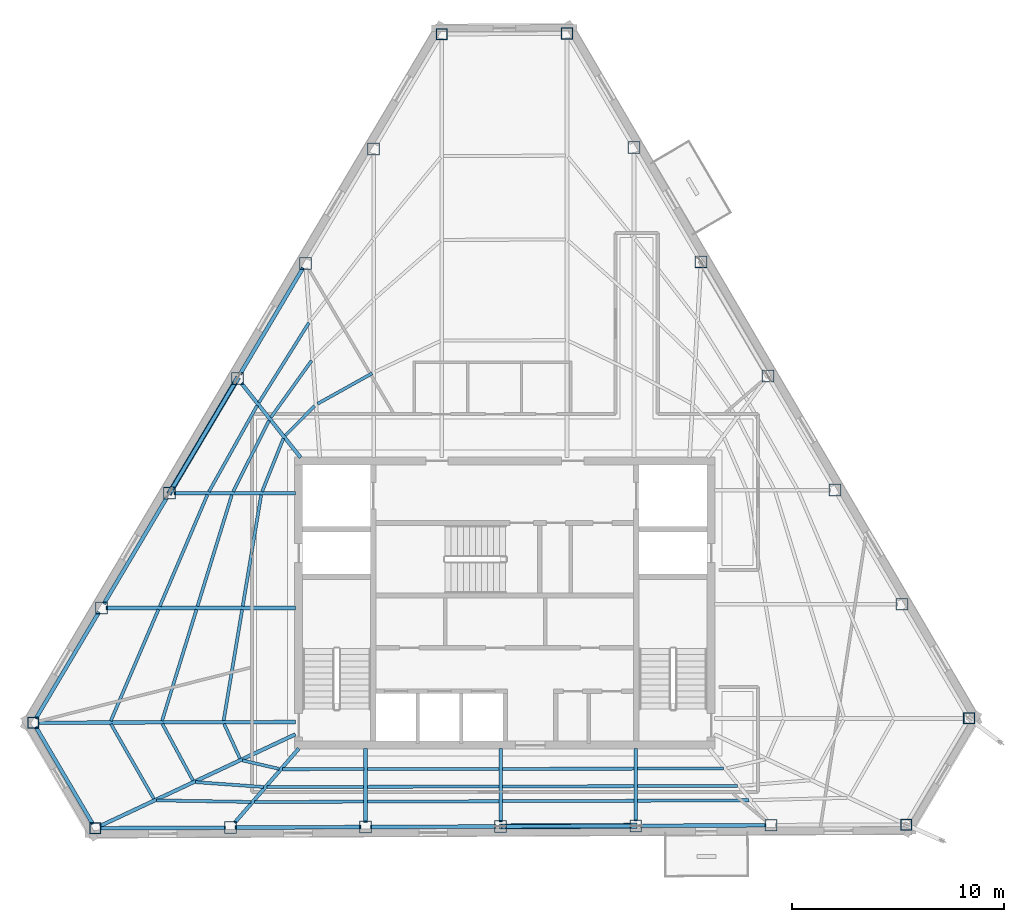
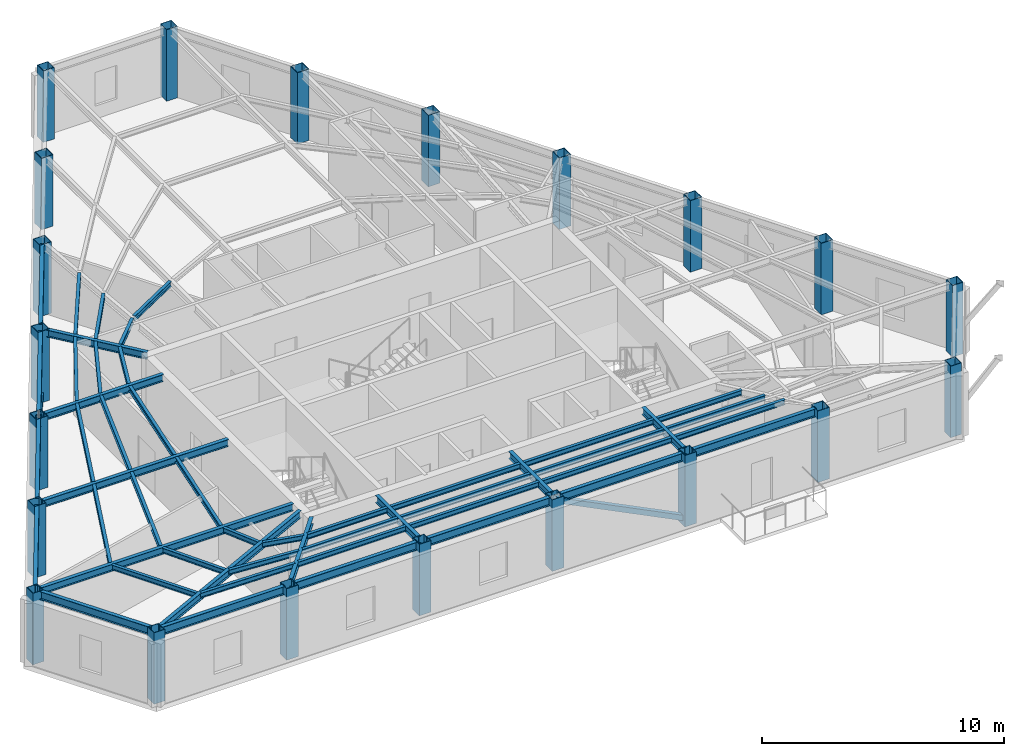
# One storey, part 1 of 9: 50 beams, 21 columns, 2 members.
"""IFC4 building model written with IfcOpenShell, lengths in metres."""

from ifc_helpers import new_model, si_unit, direction, frame, origin, origin_2d, place, context, subcontext, project, spatial, hollow_rectangle, i_section, extrude, material, material_profile, profile_set, type_object, element, save


model = new_model("IFC4")

# Units and contexts
model_context = context("Model", 3, precision=1e-05, world=origin(), true_north=direction((0.0, 1.0)))
body_context = subcontext(model_context, "Body", "Model", "MODEL_VIEW")
ifc_project = project(units=[si_unit("LENGTHUNIT", "METRE"), si_unit("AREAUNIT", "SQUARE_METRE"), si_unit("VOLUMEUNIT", "CUBIC_METRE"), si_unit("PLANEANGLEUNIT", "RADIAN"), si_unit("MASSUNIT", "GRAM", prefix="KILO")], contexts=[model_context])

# Site, building, storey
site_placement = place(None, origin())
site = spatial("IfcSite", under=ifc_project, at=site_placement, CompositionType="ELEMENT")
building_placement = place(site_placement, origin())
building = spatial("IfcBuilding", under=site, at=building_placement, Name="Kavelnor Concourse Tower", CompositionType="ELEMENT")
storey_placement = place(building_placement, frame((0.0, 0.0, 278.0)))
storey = spatial("IfcBuildingStorey", under=building, at=storey_placement, Name="L70", CompositionType="ELEMENT", Elevation=278.0)

# Columns
ifc_material = material(Name="Steel Grade 350", Category="steel")
ifc_material_profile_1 = material_profile(ifc_material, hollow_rectangle(XDim=0.52001953125, YDim=0.52001953125, WallThickness=0.02392578125, at=origin_2d()), Name="SHS 520x520x24")
ifc_profile_set_1 = profile_set([ifc_material_profile_1], Name="Steel Grade 350")
column_type_1 = type_object("IfcColumnType", Name="COL-FOLD-Z4", PredefinedType="COLUMN", material=ifc_profile_set_1)
for number, where, z_axis, x_axis, name in (
    (1, (35.025390625, 42.8876953125, 0.0), (0.0, 0.0, 1.0), (1.0, 0.0, 0.0), "L70 Perimeter Corner-Fold Column F0-B0"),
    (2, (15.80029296875, 10.463623046875, 0.0), (0.0, 0.0, 1.0), (1.0, 0.0, 0.0), "L70 Perimeter Corner-Fold Column F0-B6"),
    (3, (18.71630859375, 5.4951171875, 0.0), (0.0, 0.0, 1.0), (1.0, 0.0, 0.0), "L70 Perimeter Corner-Fold Column F1-B0"),
    (4, (56.887939453125, 5.6640625, 0.0), (0.0, 0.0, 1.0), (1.0, 0.0, 0.0), "L70 Perimeter Corner-Fold Column F1-B6"),
    (5, (59.853759765625, 10.665771484375, 0.0), (0.0, 0.0, 1.0), (1.0, 0.0, 0.0), "L70 Perimeter Corner-Fold Column F2-B0"),
    (6, (40.92529296875, 42.913818359375, 0.0), (0.0, 0.0, 1.0), (1.0, 0.0, 0.0), "L70 Perimeter Corner-Fold Column F2-B6"),
):
    element("IfcColumn", number, at=place(storey_placement, frame(where, z_axis=z_axis, x_axis=x_axis)), inside=storey, type_object=column_type_1, Name=name, PredefinedType="COLUMN", context=body_context, shape_type="SweptSolid", body=[
        extrude(hollow_rectangle(XDim=0.52001953125, YDim=0.52001953125, WallThickness=0.02392578125, at=origin_2d()), origin(), (0.0, 0.0, 1.0), 3.610107421875),
    ])
ifc_material_profile_2 = material_profile(ifc_material, hollow_rectangle(XDim=0.56005859375, YDim=0.56005859375, WallThickness=0.02490234375, at=origin_2d()), Name="SHS 560x560x25")
ifc_profile_set_2 = profile_set([ifc_material_profile_2], Name="Steel Grade 350")
column_type_2 = type_object("IfcColumnType", Name="COL-TUBE-Z4", PredefinedType="COLUMN", material=ifc_profile_set_2)
for number, where, z_axis, x_axis, name in (
    (7, (31.821044921875, 37.483642578125, 0.0), (0.0, 0.0, 1.0), (1.0, 0.0, 0.0), "L70 Perimeter Framed-Tube Column F0-B1"),
    (8, (28.616943359375, 32.07958984375, 0.0), (0.0, 0.0, 1.0), (1.0, 0.0, 0.0), "L70 Perimeter Framed-Tube Column F0-B2"),
    (9, (25.412841796875, 26.675537109375, 0.0), (0.0, 0.0, 1.0), (1.0, 0.0, 0.0), "L70 Perimeter Framed-Tube Column F0-B3"),
    (10, (22.20849609375, 21.271484375, 0.0), (0.0, 0.0, 1.0), (1.0, 0.0, 0.0), "L70 Perimeter Framed-Tube Column F0-B4"),
    (11, (19.00439453125, 15.86767578125, 0.0), (0.0, 0.0, 1.0), (1.0, 0.0, 0.0), "L70 Perimeter Framed-Tube Column F0-B5"),
    (12, (25.078369140625, 5.523193359375, 0.0), (0.0, 0.0, 1.0), (1.0, 0.0, 0.0), "L70 Perimeter Framed-Tube Column F1-B1"),
    (13, (31.440185546875, 5.551513671875, 0.0), (0.0, 0.0, 1.0), (1.0, 0.0, 0.0), "L70 Perimeter Framed-Tube Column F1-B2"),
    (14, (37.80224609375, 5.57958984375, 0.0), (0.0, 0.0, 1.0), (1.0, 0.0, 0.0), "L70 Perimeter Framed-Tube Column F1-B3"),
    (15, (44.1640625, 5.60791015625, 0.0), (0.0, 0.0, 1.0), (1.0, 0.0, 0.0), "L70 Perimeter Framed-Tube Column F1-B4"),
    (16, (50.526123046875, 5.635986328125, 0.0), (0.0, 0.0, 1.0), (1.0, 0.0, 0.0), "L70 Perimeter Framed-Tube Column F1-B5"),
    (17, (56.698974609375, 16.040283203125, 0.0), (0.0, 0.0, 1.0), (1.0, 0.0, 0.0), "L70 Perimeter Framed-Tube Column F2-B1"),
    (18, (53.544189453125, 21.4150390625, 0.0), (0.0, 0.0, 1.0), (1.0, 0.0, 0.0), "L70 Perimeter Framed-Tube Column F2-B2"),
    (19, (50.389404296875, 26.789794921875, 0.0), (0.0, 0.0, 1.0), (1.0, 0.0, 0.0), "L70 Perimeter Framed-Tube Column F2-B3"),
    (20, (47.23486328125, 32.164306640625, 0.0), (0.0, 0.0, 1.0), (1.0, 0.0, 0.0), "L70 Perimeter Framed-Tube Column F2-B4"),
    (21, (44.080078125, 37.5390625, 0.0), (0.0, 0.0, 1.0), (1.0, 0.0, 0.0), "L70 Perimeter Framed-Tube Column F2-B5"),
):
    element("IfcColumn", number, at=place(storey_placement, frame(where, z_axis=z_axis, x_axis=x_axis)), inside=storey, type_object=column_type_2, Name=name, PredefinedType="COLUMN", context=body_context, shape_type="SweptSolid", body=[
        extrude(hollow_rectangle(XDim=0.56005859375, YDim=0.56005859375, WallThickness=0.02490234375, at=origin_2d()), origin(), (0.0, 0.0, 1.0), 3.610107421875),
    ])

# Beams
ifc_material_profile_3 = material_profile(ifc_material, i_section(OverallWidth=0.14599609375, OverallDepth=0.256103515625, WebThickness=0.00634765625, FlangeThickness=0.010986328125, at=origin_2d()), Name="250UB37")
ifc_profile_set_3 = profile_set([ifc_material_profile_3], Name="Steel Grade 350")
beam_type_1 = type_object("IfcBeamType", Name="BM-JOIST-250", PredefinedType="JOIST", material=ifc_profile_set_3)
beam_1_placement = place(storey_placement, frame((25.630126953125, 15.78662109375, 3.48193359375), z_axis=(-0.164481309711, -0.986380199901, 0.0), x_axis=(0.986380199901, -0.164481309711, 0.0)))
element("IfcBeam", 22, at=beam_1_placement, inside=storey, type_object=beam_type_1, Name="L70 Secondary Composite Joist 01-1", PredefinedType="JOIST", context=body_context, shape_type="SweptSolid", body=[
    extrude(i_section(OverallWidth=0.14599609375, OverallDepth=0.256103515625, WebThickness=0.00634765625, FlangeThickness=0.010986328125, at=origin_2d()), origin(), (0.0, 0.0, 1.0), 5.2900390625),
])
beam_2_placement = place(storey_placement, frame((23.479736328125, 15.789306640625, 3.48193359375), z_axis=(-0.295473498635, -0.95535093636, 0.0), x_axis=(0.95535093636, -0.295473498635, 0.0)))
element("IfcBeam", 23, at=beam_2_placement, inside=storey, type_object=beam_type_1, Name="L70 Secondary Composite Joist 01-2", PredefinedType="JOIST", context=body_context, shape_type="SweptSolid", body=[
    extrude(i_section(OverallWidth=0.14599609375, OverallDepth=0.256103515625, WebThickness=0.00634765625, FlangeThickness=0.010986328125, at=origin_2d()), origin(), (0.0, 0.0, 1.0), 5.4755859375),
])
beam_3_placement = place(storey_placement, frame((21.6884765625, 15.792236328125, 3.48193359375), z_axis=(-0.393201019812, -0.919452531683, 0.0), x_axis=(0.919452531683, -0.393201019812, 0.0)))
element("IfcBeam", 24, at=beam_3_placement, inside=storey, type_object=beam_type_1, Name="L70 Secondary Composite Joist 01-3", PredefinedType="JOIST", context=body_context, shape_type="SweptSolid", body=[
    extrude(i_section(OverallWidth=0.14599609375, OverallDepth=0.256103515625, WebThickness=0.00634765625, FlangeThickness=0.010986328125, at=origin_2d()), origin(), (0.0, 0.0, 1.0), 5.703125),
])
beam_4_placement = place(storey_placement, frame((24.780517578125, 10.4130859375, 3.48193359375), z_axis=(0.416242219057, -0.909253768249, 0.0), x_axis=(0.909253768249, 0.416242219057, 0.0)))
element("IfcBeam", 25, at=beam_4_placement, inside=storey, type_object=beam_type_1, Name="L70 Secondary Composite Joist 02-1", PredefinedType="JOIST", context=body_context, shape_type="SweptSolid", body=[
    extrude(i_section(OverallWidth=0.14599609375, OverallDepth=0.256103515625, WebThickness=0.00634765625, FlangeThickness=0.010986328125, at=origin_2d()), origin(), (0.0, 0.0, 1.0), 1.793701171875),
])
beam_5_placement = place(storey_placement, frame((21.876708984375, 10.40771484375, 3.48193359375), z_axis=(0.475152660954, -0.879903374689, 0.0), x_axis=(0.879903374689, 0.475152660954, 0.0)))
element("IfcBeam", 26, at=beam_5_placement, inside=storey, type_object=beam_type_1, Name="L70 Secondary Composite Joist 02-2", PredefinedType="JOIST", context=body_context, shape_type="SweptSolid", body=[
    extrude(i_section(OverallWidth=0.14599609375, OverallDepth=0.256103515625, WebThickness=0.00634765625, FlangeThickness=0.010986328125, at=origin_2d()), origin(), (0.0, 0.0, 1.0), 3.02734375),
])
beam_6_placement = place(storey_placement, frame((19.45458984375, 10.402099609375, 3.48193359375), z_axis=(0.497452897182, -0.867490988475, 0.0), x_axis=(0.867490988475, 0.497452897182, 0.0)))
element("IfcBeam", 27, at=beam_6_placement, inside=storey, type_object=beam_type_1, Name="L70 Secondary Composite Joist 02-3", PredefinedType="JOIST", context=body_context, shape_type="SweptSolid", body=[
    extrude(i_section(OverallWidth=0.14599609375, OverallDepth=0.256103515625, WebThickness=0.00634765625, FlangeThickness=0.010986328125, at=origin_2d()), origin(), (0.0, 0.0, 1.0), 4.060302734375),
])
beam_7_placement = place(storey_placement, frame((25.64111328125, 8.689208984375, 3.48193359375), z_axis=(0.974407393585, -0.224789304298, 0.0), x_axis=(0.224789304298, 0.974407393585, 0.0)))
element("IfcBeam", 28, at=beam_7_placement, inside=storey, type_object=beam_type_1, Name="L70 Secondary Composite Joist 03-1", PredefinedType="JOIST", context=body_context, shape_type="SweptSolid", body=[
    extrude(i_section(OverallWidth=0.14599609375, OverallDepth=0.256103515625, WebThickness=0.00634765625, FlangeThickness=0.010986328125, at=origin_2d()), origin(), (0.0, 0.0, 1.0), 1.77783203125),
])
beam_8_placement = place(storey_placement, frame((23.43603515625, 7.666015625, 3.48193359375), z_axis=(0.997475616133, -0.071009824817, 0.0), x_axis=(0.071009824817, 0.997475616133, 0.0)))
element("IfcBeam", 29, at=beam_8_placement, inside=storey, type_object=beam_type_1, Name="L70 Secondary Composite Joist 03-2", PredefinedType="JOIST", context=body_context, shape_type="SweptSolid", body=[
    extrude(i_section(OverallWidth=0.14599609375, OverallDepth=0.256103515625, WebThickness=0.00634765625, FlangeThickness=0.010986328125, at=origin_2d()), origin(), (0.0, 0.0, 1.0), 3.218017578125),
])
beam_9_placement = place(storey_placement, frame((21.59716796875, 6.807373046875, 3.48193359375), z_axis=(0.999862403208, -0.016588389044, 0.0), x_axis=(0.016588389044, 0.999862403208, 0.0)))
element("IfcBeam", 30, at=beam_9_placement, inside=storey, type_object=beam_type_1, Name="L70 Secondary Composite Joist 03-3", PredefinedType="JOIST", context=body_context, shape_type="SweptSolid", body=[
    extrude(i_section(OverallWidth=0.14599609375, OverallDepth=0.256103515625, WebThickness=0.00634765625, FlangeThickness=0.010986328125, at=origin_2d()), origin(), (0.0, 0.0, 1.0), 4.44482421875),
])
beam_10_placement = place(storey_placement, frame((27.535400390625, 8.271240234375, 3.48193359375), z_axis=(0.99999530191, 0.003065315441, 0.0), x_axis=(-0.003065315441, 0.99999530191, 0.0)))
element("IfcBeam", 31, at=beam_10_placement, inside=storey, type_object=beam_type_1, Name="L70 Secondary Composite Joist 04-1", PredefinedType="JOIST", context=body_context, shape_type="SweptSolid", body=[
    extrude(i_section(OverallWidth=0.14599609375, OverallDepth=0.256103515625, WebThickness=0.00634765625, FlangeThickness=0.010986328125, at=origin_2d()), origin(), (0.0, 0.0, 1.0), 3.822998046875),
])
beam_11_placement = place(storey_placement, frame((26.809814453125, 7.431884765625, 3.48193359375), z_axis=(0.999995320016, 0.003059402783, 0.0), x_axis=(-0.003059402783, 0.999995320016, 0.0)))
element("IfcBeam", 32, at=beam_11_placement, inside=storey, type_object=beam_type_1, Name="L70 Secondary Composite Joist 04-2", PredefinedType="JOIST", context=body_context, shape_type="SweptSolid", body=[
    extrude(i_section(OverallWidth=0.14599609375, OverallDepth=0.256103515625, WebThickness=0.00634765625, FlangeThickness=0.010986328125, at=origin_2d()), origin(), (0.0, 0.0, 1.0), 4.548583984375),
])
beam_12_placement = place(storey_placement, frame((26.205322265625, 6.732421875, 3.48193359375), z_axis=(0.999995403006, 0.003032155484, 0.0), x_axis=(-0.003032155484, 0.999995403006, 0.0)))
element("IfcBeam", 33, at=beam_12_placement, inside=storey, type_object=beam_type_1, Name="L70 Secondary Composite Joist 04-3", PredefinedType="JOIST", context=body_context, shape_type="SweptSolid", body=[
    extrude(i_section(OverallWidth=0.14599609375, OverallDepth=0.256103515625, WebThickness=0.00634765625, FlangeThickness=0.010986328125, at=origin_2d()), origin(), (0.0, 0.0, 1.0), 5.153076171875),
])
for number, where, z_axis, x_axis, name in (
    (34, (31.522216796875, 8.283203125, 3.48193359375), (0.999999205586, 0.00126048665, 0.0), (-0.00126048665, 0.999999205586, 0.0), "L70 Secondary Composite Joist 05-1"),
    (35, (31.522216796875, 7.4462890625, 3.48193359375), (0.999997390234, 0.002284627905, 0.0), (-0.002284627905, 0.999997390234, 0.0), "L70 Secondary Composite Joist 05-2"),
    (36, (31.522216796875, 6.74853515625, 3.48193359375), (0.999994910045, 0.003190593127, 0.0), (-0.003190593127, 0.999994910045, 0.0), "L70 Secondary Composite Joist 05-3"),
):
    element("IfcBeam", number, at=place(storey_placement, frame(where, z_axis=z_axis, x_axis=x_axis)), inside=storey, type_object=beam_type_1, Name=name, PredefinedType="JOIST", context=body_context, shape_type="SweptSolid", body=[
        extrude(i_section(OverallWidth=0.14599609375, OverallDepth=0.256103515625, WebThickness=0.00634765625, FlangeThickness=0.010986328125, at=origin_2d()), origin(), (0.0, 0.0, 1.0), 6.197998046875),
    ])
for number, where, z_axis, x_axis, name in (
    (37, (37.88427734375, 8.291259765625, 3.48193359375), (0.999999254403, 0.001221144603, 0.0), (-0.001221144603, 0.999999254403, 0.0), "L70 Secondary Composite Joist 06-1"),
    (38, (37.88427734375, 7.460693359375, 3.48193359375), (0.999997299254, 0.002324109377, 0.0), (-0.002324109377, 0.999997299254, 0.0), "L70 Secondary Composite Joist 06-2"),
    (39, (37.88427734375, 6.768798828125, 3.48193359375), (0.999994909644, 0.003190718809, 0.0), (-0.003190718809, 0.999994909644, 0.0), "L70 Secondary Composite Joist 06-3"),
):
    element("IfcBeam", number, at=place(storey_placement, frame(where, z_axis=z_axis, x_axis=x_axis)), inside=storey, type_object=beam_type_1, Name=name, PredefinedType="JOIST", context=body_context, shape_type="SweptSolid", body=[
        extrude(i_section(OverallWidth=0.14599609375, OverallDepth=0.256103515625, WebThickness=0.00634765625, FlangeThickness=0.010986328125, at=origin_2d()), origin(), (0.0, 0.0, 1.0), 6.19775390625),
    ])
beam_13_placement = place(storey_placement, frame((44.24609375, 8.299072265625, 3.48193359375), z_axis=(0.999999536274, 0.00096304277, 0.0), x_axis=(-0.00096304277, 0.999999536274, 0.0)))
element("IfcBeam", 40, at=beam_13_placement, inside=storey, type_object=beam_type_1, Name="L70 Secondary Composite Joist 07-1", PredefinedType="JOIST", context=body_context, shape_type="SweptSolid", body=[
    extrude(i_section(OverallWidth=0.14599609375, OverallDepth=0.256103515625, WebThickness=0.00634765625, FlangeThickness=0.010986328125, at=origin_2d()), origin(), (0.0, 0.0, 1.0), 4.05615234375),
])
beam_14_placement = place(storey_placement, frame((44.24609375, 7.4755859375, 3.48193359375), z_axis=(0.999995321608, 0.003058882413, 0.0), x_axis=(-0.003058882413, 0.999995321608, 0.0)))
element("IfcBeam", 41, at=beam_14_placement, inside=storey, type_object=beam_type_1, Name="L70 Secondary Composite Joist 07-2", PredefinedType="JOIST", context=body_context, shape_type="SweptSolid", body=[
    extrude(i_section(OverallWidth=0.14599609375, OverallDepth=0.256103515625, WebThickness=0.00634765625, FlangeThickness=0.010986328125, at=origin_2d()), origin(), (0.0, 0.0, 1.0), 4.708984375),
])
beam_15_placement = place(storey_placement, frame((44.24609375, 6.789306640625, 3.48193359375), z_axis=(0.999990251716, 0.004415481009, 0.0), x_axis=(-0.004415481009, 0.999990251716, 0.0)))
element("IfcBeam", 42, at=beam_15_placement, inside=storey, type_object=beam_type_1, Name="L70 Secondary Composite Joist 07-3", PredefinedType="JOIST", context=body_context, shape_type="SweptSolid", body=[
    extrude(i_section(OverallWidth=0.14599609375, OverallDepth=0.256103515625, WebThickness=0.00634765625, FlangeThickness=0.010986328125, at=origin_2d()), origin(), (0.0, 0.0, 1.0), 5.252685546875),
])
beam_16_placement = place(storey_placement, frame((31.74951171875, 26.91064453125, 3.48193359375), z_axis=(-0.873574018272, -0.486691313463, 0.0), x_axis=(0.486691313463, -0.873574018272, 0.0)))
element("IfcBeam", 43, at=beam_16_placement, inside=storey, type_object=beam_type_1, Name="L70 Secondary Composite Joist 18-1", PredefinedType="JOIST", context=body_context, shape_type="SweptSolid", body=[
    extrude(i_section(OverallWidth=0.14599609375, OverallDepth=0.256103515625, WebThickness=0.00634765625, FlangeThickness=0.010986328125, at=origin_2d()), origin(), (0.0, 0.0, 1.0), 2.945068359375),
])
beam_17_placement = place(storey_placement, frame((29.04736328125, 25.37939453125, 3.48193359375), z_axis=(-0.705303025476, -0.708905947396, 0.0), x_axis=(0.708905947396, -0.705303025476, 0.0)))
element("IfcBeam", 44, at=beam_17_placement, inside=storey, type_object=beam_type_1, Name="L70 Secondary Composite Joist 19-1", PredefinedType="JOIST", context=body_context, shape_type="SweptSolid", body=[
    extrude(i_section(OverallWidth=0.14599609375, OverallDepth=0.256103515625, WebThickness=0.00634765625, FlangeThickness=0.010986328125, at=origin_2d()), origin(), (0.0, 0.0, 1.0), 1.965087890625),
])
beam_18_placement = place(storey_placement, frame((28.900146484375, 27.511474609375, 3.48193359375), z_axis=(-0.582506697608, -0.812825902172, 0.0), x_axis=(0.812825902172, -0.582506697608, 0.0)))
element("IfcBeam", 45, at=beam_18_placement, inside=storey, type_object=beam_type_1, Name="L70 Secondary Composite Joist 19-2", PredefinedType="JOIST", context=body_context, shape_type="SweptSolid", body=[
    extrude(i_section(OverallWidth=0.14599609375, OverallDepth=0.256103515625, WebThickness=0.00634765625, FlangeThickness=0.010986328125, at=origin_2d()), origin(), (0.0, 0.0, 1.0), 3.29345703125),
])
beam_19_placement = place(storey_placement, frame((28.773193359375, 29.29248046875, 3.48193359375), z_axis=(-0.53101359867, -0.847363297546, 0.0), x_axis=(0.847363297546, -0.53101359867, 0.0)))
element("IfcBeam", 46, at=beam_19_placement, inside=storey, type_object=beam_type_1, Name="L70 Secondary Composite Joist 19-3", PredefinedType="JOIST", context=body_context, shape_type="SweptSolid", body=[
    extrude(i_section(OverallWidth=0.14599609375, OverallDepth=0.256103515625, WebThickness=0.00634765625, FlangeThickness=0.010986328125, at=origin_2d()), origin(), (0.0, 0.0, 1.0), 4.43212890625),
])
beam_20_placement = place(storey_placement, frame((27.572998046875, 23.85205078125, 3.48193359375), z_axis=(-0.371375070602, -0.928482933034, 0.0), x_axis=(0.928482933034, -0.371375070602, 0.0)))
element("IfcBeam", 47, at=beam_20_placement, inside=storey, type_object=beam_type_1, Name="L70 Secondary Composite Joist 20-1", PredefinedType="JOIST", context=body_context, shape_type="SweptSolid", body=[
    extrude(i_section(OverallWidth=0.14599609375, OverallDepth=0.256103515625, WebThickness=0.00634765625, FlangeThickness=0.010986328125, at=origin_2d()), origin(), (0.0, 0.0, 1.0), 2.697265625),
])
beam_21_placement = place(storey_placement, frame((26.897216796875, 24.694580078125, 3.48193359375), z_axis=(-0.450464024461, -0.89279458033, 0.0), x_axis=(0.89279458033, -0.450464024461, 0.0)))
element("IfcBeam", 48, at=beam_21_placement, inside=storey, type_object=beam_type_1, Name="L70 Secondary Composite Joist 20-2", PredefinedType="JOIST", context=body_context, shape_type="SweptSolid", body=[
    extrude(i_section(OverallWidth=0.14599609375, OverallDepth=0.256103515625, WebThickness=0.00634765625, FlangeThickness=0.010986328125, at=origin_2d()), origin(), (0.0, 0.0, 1.0), 3.752197265625),
])
beam_22_placement = place(storey_placement, frame((26.336181640625, 25.395751953125, 3.48193359375), z_axis=(-0.488425671719, -0.872605502622, 0.0), x_axis=(0.872605502622, -0.488425671719, 0.0)))
element("IfcBeam", 49, at=beam_22_placement, inside=storey, type_object=beam_type_1, Name="L70 Secondary Composite Joist 20-3", PredefinedType="JOIST", context=body_context, shape_type="SweptSolid", body=[
    extrude(i_section(OverallWidth=0.14599609375, OverallDepth=0.256103515625, WebThickness=0.00634765625, FlangeThickness=0.010986328125, at=origin_2d()), origin(), (0.0, 0.0, 1.0), 4.64404296875),
])
beam_23_placement = place(storey_placement, frame((26.52734375, 21.190673828125, 3.48193359375), z_axis=(-0.163788033425, -0.986495555036, 0.0), x_axis=(0.986495555036, -0.163788033425, 0.0)))
element("IfcBeam", 50, at=beam_23_placement, inside=storey, type_object=beam_type_1, Name="L70 Secondary Composite Joist 21-1", PredefinedType="JOIST", context=body_context, shape_type="SweptSolid", body=[
    extrude(i_section(OverallWidth=0.14599609375, OverallDepth=0.256103515625, WebThickness=0.00634765625, FlangeThickness=0.010986328125, at=origin_2d()), origin(), (0.0, 0.0, 1.0), 5.31396484375),
])
beam_24_placement = place(storey_placement, frame((25.14599609375, 21.193115234375, 3.48193359375), z_axis=(-0.294657568821, -0.955602907664, 0.0), x_axis=(0.955602907664, -0.294657568821, 0.0)))
element("IfcBeam", 51, at=beam_24_placement, inside=storey, type_object=beam_type_1, Name="L70 Secondary Composite Joist 21-2", PredefinedType="JOIST", context=body_context, shape_type="SweptSolid", body=[
    extrude(i_section(OverallWidth=0.14599609375, OverallDepth=0.256103515625, WebThickness=0.00634765625, FlangeThickness=0.010986328125, at=origin_2d()), origin(), (0.0, 0.0, 1.0), 5.490966796875),
])
beam_25_placement = place(storey_placement, frame((23.99560546875, 21.1962890625, 3.48193359375), z_axis=(-0.39263442216, -0.919694628959, 0.0), x_axis=(0.919694628959, -0.39263442216, 0.0)))
element("IfcBeam", 52, at=beam_25_placement, inside=storey, type_object=beam_type_1, Name="L70 Secondary Composite Joist 21-3", PredefinedType="JOIST", context=body_context, shape_type="SweptSolid", body=[
    extrude(i_section(OverallWidth=0.14599609375, OverallDepth=0.256103515625, WebThickness=0.00634765625, FlangeThickness=0.010986328125, at=origin_2d()), origin(), (0.0, 0.0, 1.0), 5.7119140625),
])
ifc_material_profile_4 = material_profile(ifc_material, i_section(OverallWidth=0.172119140625, OverallDepth=0.35888671875, WebThickness=0.008056640625, FlangeThickness=0.012939453125, at=origin_2d()), Name="360UB56")
ifc_profile_set_4 = profile_set([ifc_material_profile_4], Name="Steel Grade 350")
beam_type_2 = type_object("IfcBeamType", Name="BM-PRIMARY-360", PredefinedType="BEAM", material=ifc_profile_set_4)
beam_26_placement = place(storey_placement, frame((28.384521484375, 22.94873046875, 3.430419921875), z_axis=(-0.623423217911, 0.781884576757, 0.0), x_axis=(-0.781884576757, -0.623423217911, 0.0)))
element("IfcBeam", 53, at=beam_26_placement, inside=storey, type_object=beam_type_2, Name="L70 Primary Floor Girder F0-B3", PredefinedType="BEAM", context=body_context, shape_type="SweptSolid", body=[
    extrude(i_section(OverallWidth=0.172119140625, OverallDepth=0.35888671875, WebThickness=0.008056640625, FlangeThickness=0.012939453125, at=origin_2d()), origin(), (0.0, 0.0, 1.0), 4.47412109375),
])
beam_27_placement = place(storey_placement, frame((28.139892578125, 21.271484375, 3.430419921875), z_axis=(-1.0, 0.0, 0.0), x_axis=(0.0, -1.0, 0.0)))
element("IfcBeam", 54, at=beam_27_placement, inside=storey, type_object=beam_type_2, Name="L70 Primary Floor Girder F0-B4", PredefinedType="BEAM", context=body_context, shape_type="SweptSolid", body=[
    extrude(i_section(OverallWidth=0.172119140625, OverallDepth=0.35888671875, WebThickness=0.008056640625, FlangeThickness=0.012939453125, at=origin_2d()), origin(), (0.0, 0.0, 1.0), 5.711181640625),
])
beam_28_placement = place(storey_placement, frame((28.139892578125, 15.86767578125, 3.430419921875), z_axis=(-1.0, 0.0, 0.0), x_axis=(0.0, -1.0, 0.0)))
element("IfcBeam", 55, at=beam_28_placement, inside=storey, type_object=beam_type_2, Name="L70 Primary Floor Girder F0-B5", PredefinedType="BEAM", context=body_context, shape_type="SweptSolid", body=[
    extrude(i_section(OverallWidth=0.172119140625, OverallDepth=0.35888671875, WebThickness=0.008056640625, FlangeThickness=0.012939453125, at=origin_2d()), origin(), (0.0, 0.0, 1.0), 8.91552734375),
])
beam_29_placement = place(storey_placement, frame((28.139892578125, 10.49658203125, 3.430419921875), z_axis=(-0.999996411009, -0.002679173334, 0.0), x_axis=(0.002679173334, -0.999996411009, 0.0)))
element("IfcBeam", 56, at=beam_29_placement, inside=storey, type_object=beam_type_2, Name="L70 Primary Floor Girder F0-B6", PredefinedType="BEAM", context=body_context, shape_type="SweptSolid", body=[
    extrude(i_section(OverallWidth=0.172119140625, OverallDepth=0.35888671875, WebThickness=0.008056640625, FlangeThickness=0.012939453125, at=origin_2d()), origin(), (0.0, 0.0, 1.0), 12.11962890625),
])
beam_30_placement = place(storey_placement, frame((28.13623046875, 9.916259765625, 3.430419921875), z_axis=(-0.90525014947, -0.424879002641, 0.0), x_axis=(0.424879002641, -0.90525014947, 0.0)))
element("IfcBeam", 57, at=beam_30_placement, inside=storey, type_object=beam_type_2, Name="L70 Primary Floor Girder F1-B0", PredefinedType="BEAM", context=body_context, shape_type="SweptSolid", body=[
    extrude(i_section(OverallWidth=0.172119140625, OverallDepth=0.35888671875, WebThickness=0.008056640625, FlangeThickness=0.012939453125, at=origin_2d()), origin(), (0.0, 0.0, 1.0), 10.158447265625),
])
beam_31_placement = place(storey_placement, frame((28.2998046875, 9.250244140625, 3.430419921875), z_axis=(-0.653934693743, -0.756551000474, 0.0), x_axis=(0.756551000474, -0.653934693743, 0.0)))
element("IfcBeam", 58, at=beam_31_placement, inside=storey, type_object=beam_type_2, Name="L70 Primary Floor Girder F1-B1", PredefinedType="BEAM", context=body_context, shape_type="SweptSolid", body=[
    extrude(i_section(OverallWidth=0.172119140625, OverallDepth=0.35888671875, WebThickness=0.008056640625, FlangeThickness=0.012939453125, at=origin_2d()), origin(), (0.0, 0.0, 1.0), 4.622802734375),
])
beam_32_placement = place(storey_placement, frame((31.440185546875, 9.260009765625, 3.430419921875), z_axis=(0.0, -1.0, 0.0), x_axis=(1.0, 0.0, 0.0)))
element("IfcBeam", 59, at=beam_32_placement, inside=storey, type_object=beam_type_2, Name="L70 Primary Floor Girder F1-B2", PredefinedType="BEAM", context=body_context, shape_type="SweptSolid", body=[
    extrude(i_section(OverallWidth=0.172119140625, OverallDepth=0.35888671875, WebThickness=0.008056640625, FlangeThickness=0.012939453125, at=origin_2d()), origin(), (0.0, 0.0, 1.0), 3.488525390625),
])
beam_33_placement = place(storey_placement, frame((37.80224609375, 9.260009765625, 3.430419921875), z_axis=(0.0, -1.0, 0.0), x_axis=(1.0, 0.0, 0.0)))
element("IfcBeam", 60, at=beam_33_placement, inside=storey, type_object=beam_type_2, Name="L70 Primary Floor Girder F1-B3", PredefinedType="BEAM", context=body_context, shape_type="SweptSolid", body=[
    extrude(i_section(OverallWidth=0.172119140625, OverallDepth=0.35888671875, WebThickness=0.008056640625, FlangeThickness=0.012939453125, at=origin_2d()), origin(), (0.0, 0.0, 1.0), 3.46044921875),
])
beam_34_placement = place(storey_placement, frame((44.1640625, 9.260009765625, 3.430419921875), z_axis=(0.0, -1.0, 0.0), x_axis=(1.0, 0.0, 0.0)))
element("IfcBeam", 61, at=beam_34_placement, inside=storey, type_object=beam_type_2, Name="L70 Primary Floor Girder F1-B4", PredefinedType="BEAM", context=body_context, shape_type="SweptSolid", body=[
    extrude(i_section(OverallWidth=0.172119140625, OverallDepth=0.35888671875, WebThickness=0.008056640625, FlangeThickness=0.012939453125, at=origin_2d()), origin(), (0.0, 0.0, 1.0), 3.43212890625),
])
ifc_material_profile_5 = material_profile(ifc_material, i_section(OverallWidth=0.177978515625, OverallDepth=0.406005859375, WebThickness=0.0078125, FlangeThickness=0.0126953125, at=origin_2d()), Name="410UB59")
ifc_profile_set_5 = profile_set([ifc_material_profile_5], Name="Steel Grade 350")
beam_type_3 = type_object("IfcBeamType", Name="BM-SPANDREL-Z4", PredefinedType="SPANDREL", material=ifc_profile_set_5)
for number, where, z_axis, x_axis, name in (
    (62, (28.502197265625, 31.885986328125, 3.406982421875), (-0.510013498722, -0.860166397345, 0.0), (0.860166397345, -0.510013498722, 0.0), "L70 Perimeter Tube Spandrel Beam F0-B2"),
    (63, (25.298095703125, 26.482177734375, 3.406982421875), (-0.509995135748, -0.860177284932, 0.0), (0.860177284932, -0.509995135748, 0.0), "L70 Perimeter Tube Spandrel Beam F0-B3"),
    (64, (22.09375, 21.078125, 3.406982421875), (-0.509995135748, -0.860177284932, 0.0), (0.860177284932, -0.509995135748, 0.0), "L70 Perimeter Tube Spandrel Beam F0-B4"),
    (65, (18.8896484375, 15.674072265625, 3.406982421875), (-0.509995135748, -0.860177284932, 0.0), (0.860177284932, -0.509995135748, 0.0), "L70 Perimeter Tube Spandrel Beam F0-B5"),
):
    element("IfcBeam", number, at=place(storey_placement, frame(where, z_axis=z_axis, x_axis=x_axis)), inside=storey, type_object=beam_type_3, Name=name, PredefinedType="SPANDREL", context=body_context, shape_type="SweptSolid", body=[
        extrude(i_section(OverallWidth=0.177978515625, OverallDepth=0.406005859375, WebThickness=0.0078125, FlangeThickness=0.0126953125, at=origin_2d()), origin(), (0.0, 0.0, 1.0), 5.83251953125),
    ])
beam_35_placement = place(storey_placement, frame((18.94140625, 5.49609375, 3.406982421875), z_axis=(0.999990237473, 0.004418705571, 0.0), x_axis=(-0.004418705571, 0.999990237473, 0.0)))
element("IfcBeam", 66, at=beam_35_placement, inside=storey, type_object=beam_type_3, Name="L70 Perimeter Tube Spandrel Beam F1-B0", PredefinedType="SPANDREL", context=body_context, shape_type="SweptSolid", body=[
    extrude(i_section(OverallWidth=0.177978515625, OverallDepth=0.406005859375, WebThickness=0.0078125, FlangeThickness=0.0126953125, at=origin_2d()), origin(), (0.0, 0.0, 1.0), 5.911865234375),
])
beam_36_placement = place(storey_placement, frame((25.30322265625, 5.5244140625, 3.406982421875), z_axis=(0.999990238279, 0.004418523104, 0.0), x_axis=(-0.004418523104, 0.999990238279, 0.0)))
element("IfcBeam", 67, at=beam_36_placement, inside=storey, type_object=beam_type_3, Name="L70 Perimeter Tube Spandrel Beam F1-B1", PredefinedType="SPANDREL", context=body_context, shape_type="SweptSolid", body=[
    extrude(i_section(OverallWidth=0.177978515625, OverallDepth=0.406005859375, WebThickness=0.0078125, FlangeThickness=0.0126953125, at=origin_2d()), origin(), (0.0, 0.0, 1.0), 5.912109375),
])
beam_37_placement = place(storey_placement, frame((31.665283203125, 5.552490234375, 3.406982421875), z_axis=(0.999990237473, 0.004418705571, 0.0), x_axis=(-0.004418705571, 0.999990237473, 0.0)))
element("IfcBeam", 68, at=beam_37_placement, inside=storey, type_object=beam_type_3, Name="L70 Perimeter Tube Spandrel Beam F1-B2", PredefinedType="SPANDREL", context=body_context, shape_type="SweptSolid", body=[
    extrude(i_section(OverallWidth=0.177978515625, OverallDepth=0.406005859375, WebThickness=0.0078125, FlangeThickness=0.0126953125, at=origin_2d()), origin(), (0.0, 0.0, 1.0), 5.911865234375),
])
beam_38_placement = place(storey_placement, frame((38.027099609375, 5.58056640625, 3.406982421875), z_axis=(0.999990238279, 0.004418523104, 0.0), x_axis=(-0.004418523104, 0.999990238279, 0.0)))
element("IfcBeam", 69, at=beam_38_placement, inside=storey, type_object=beam_type_3, Name="L70 Perimeter Tube Spandrel Beam F1-B3", PredefinedType="SPANDREL", context=body_context, shape_type="SweptSolid", body=[
    extrude(i_section(OverallWidth=0.177978515625, OverallDepth=0.406005859375, WebThickness=0.0078125, FlangeThickness=0.0126953125, at=origin_2d()), origin(), (0.0, 0.0, 1.0), 5.912109375),
])
beam_39_placement = place(storey_placement, frame((44.38916015625, 5.60888671875, 3.406982421875), z_axis=(0.999990237473, 0.004418705571, 0.0), x_axis=(-0.004418705571, 0.999990237473, 0.0)))
element("IfcBeam", 70, at=beam_39_placement, inside=storey, type_object=beam_type_3, Name="L70 Perimeter Tube Spandrel Beam F1-B4", PredefinedType="SPANDREL", context=body_context, shape_type="SweptSolid", body=[
    extrude(i_section(OverallWidth=0.177978515625, OverallDepth=0.406005859375, WebThickness=0.0078125, FlangeThickness=0.0126953125, at=origin_2d()), origin(), (0.0, 0.0, 1.0), 5.911865234375),
])
beam_40_placement = place(storey_placement, frame((15.9140625, 10.26953125, 3.406982421875), z_axis=(0.506204285012, -0.862413602534, 0.0), x_axis=(0.862413602534, 0.506204285012, 0.0)))
element("IfcBeam", 71, at=beam_40_placement, inside=storey, type_object=beam_type_3, Name="L70 Chamfer Facet Spandrel Beam C1", PredefinedType="SPANDREL", context=body_context, shape_type="SweptSolid", body=[
    extrude(i_section(OverallWidth=0.177978515625, OverallDepth=0.406005859375, WebThickness=0.0078125, FlangeThickness=0.0126953125, at=origin_2d()), origin(), (0.0, 0.0, 1.0), 5.31103515625),
])

# Members
ifc_material_profile_6 = material_profile(ifc_material, hollow_rectangle(XDim=0.25, YDim=0.25, WallThickness=0.01611328125, at=origin_2d()), Name="SHS 250x250x16")
ifc_profile_set_6 = profile_set([ifc_material_profile_6], Name="Steel Grade 350")
member_type = type_object("IfcMemberType", Name="MBR-TUBE-DIAG-Z4", PredefinedType="BRACE", material=ifc_profile_set_6)
member_1_placement = place(storey_placement, frame((25.412841796875, 26.675537109375, 0.219970703125), z_axis=(-0.454855117225, -0.767102325316, 0.452394567638), x_axis=(0.860155790667, -0.510031387057, 0.0)))
element("IfcMember", 72, at=member_1_placement, inside=storey, type_object=member_type, Name="L70 Framed-Tube Bracing Diagonal F0-B3", PredefinedType="BRACE", context=body_context, shape_type="SweptSolid", body=[
    extrude(hollow_rectangle(XDim=0.25, YDim=0.25, WallThickness=0.01611328125, at=origin_2d()), origin(), (0.0, 0.0, 1.0), 7.044677734375),
])
member_2_placement = place(storey_placement, frame((44.1640625, 5.60791015625, 0.219970703125), z_axis=(-0.894076733139, -0.003980079094, 0.447896142236), x_axis=(0.004451563844, -0.999990091741, 0.0)))
element("IfcMember", 73, at=member_2_placement, inside=storey, type_object=member_type, Name="L70 Framed-Tube Bracing Diagonal F1-B3", PredefinedType="BRACE", context=body_context, shape_type="SweptSolid", body=[
    extrude(hollow_rectangle(XDim=0.25, YDim=0.25, WallThickness=0.01611328125, at=origin_2d()), origin(), (0.0, 0.0, 1.0), 7.115478515625),
])

save(model, "model.ifc")
